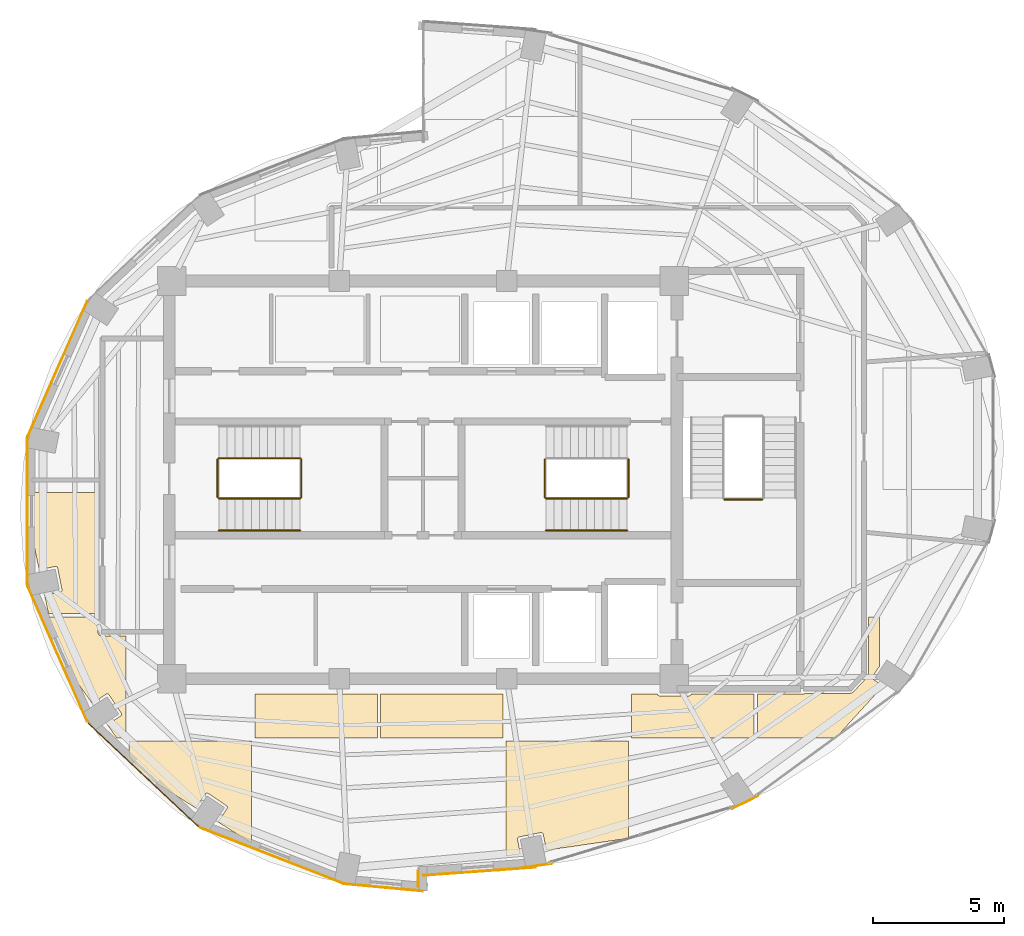
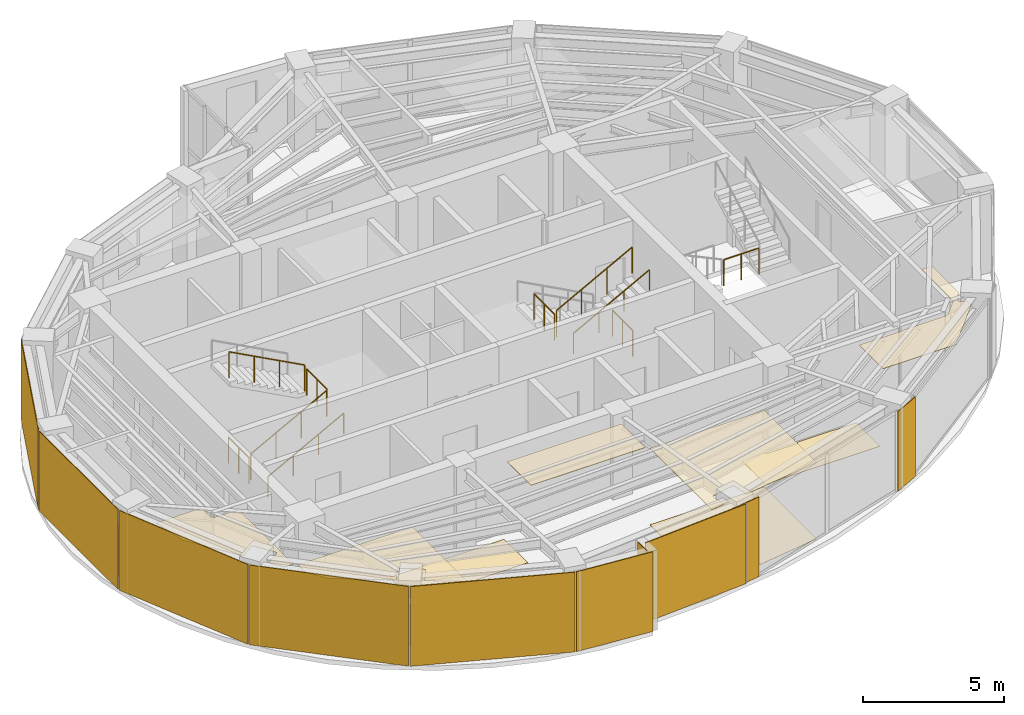
# One storey, part 14 of 15: 20 coverings, 10 railings.
"""IFC4 building model written with IfcOpenShell, lengths in metres."""

from ifc_helpers import new_model, si_unit, direction, frame, origin, origin_2d, place, context, subcontext, project, spatial, polyline, rectangle, circle, outline, extrude, material, layer, layer_set, type_object, element, save


model = new_model("IFC4")

# Units and contexts
model_context = context("Model", 3, precision=1e-05, world=origin(), true_north=direction((0.0, 1.0)))
body_context = subcontext(model_context, "Body", "Model", "MODEL_VIEW")
ifc_project = project(units=[si_unit("LENGTHUNIT", "METRE"), si_unit("AREAUNIT", "SQUARE_METRE"), si_unit("VOLUMEUNIT", "CUBIC_METRE"), si_unit("PLANEANGLEUNIT", "RADIAN"), si_unit("MASSUNIT", "GRAM", prefix="KILO")], contexts=[model_context])

# Site, building, storey
site_placement = place(None, origin())
site = spatial("IfcSite", under=ifc_project, at=site_placement, CompositionType="ELEMENT")
building_placement = place(site_placement, origin())
building = spatial("IfcBuilding", under=site, at=building_placement, Name="Lazwardi Medical Tower", CompositionType="ELEMENT")
storey_placement = place(building_placement, frame((0.0, 0.0, 280.56005859375)))
storey = spatial("IfcBuildingStorey", under=building, at=storey_placement, Name="L73", CompositionType="ELEMENT", Elevation=280.56005859375)

# Coverings
ifc_material_1 = material(Name="Anodised bronze aluminium cassette cladding", Category="aluminium")
ifc_layer_1 = layer(ifc_material_1, 0.030029296875)
ifc_layer_set_1 = layer_set([ifc_layer_1], Name="Anodised bronze aluminium cassette cladding")
covering_type_1 = type_object("IfcCoveringType", Name="COV-CLD-BRZ", PredefinedType="CLADDING", material=ifc_layer_set_1)
covering_1_placement = place(storey_placement, frame((40.3232421875, 13.25048828125, 0.0), z_axis=(0.0, 0.0, 1.0), x_axis=(0.989512431533, 0.144447733943, 0.0)))
element("IfcCovering", 1, at=covering_1_placement, inside=storey, type_object=covering_type_1, Name="L73 Mega-column bronze cassette cover M01", PredefinedType="CLADDING", context=body_context, shape_type="SweptSolid", body=[
    extrude(rectangle(XDim=1.188720703125, YDim=0.030029296875, at=origin_2d()), origin(), (0.0, 0.0, 1.0), 3.447998046875),
])
covering_2_placement = place(storey_placement, frame((48.311279296875, 15.6787109375, 0.0), z_axis=(0.0, 0.0, 1.0), x_axis=(0.897840141691, 0.440321564278, 0.0)))
element("IfcCovering", 2, at=covering_2_placement, inside=storey, type_object=covering_type_1, Name="L73 Mega-column bronze cassette cover M02", PredefinedType="CLADDING", context=body_context, shape_type="SweptSolid", body=[
    extrude(rectangle(XDim=1.110595703125, YDim=0.030029296875, at=origin_2d()), origin(), (0.0, 0.0, 1.0), 3.447998046875),
])
covering_3_placement = place(storey_placement, frame((22.032470703125, 32.25146484375, 0.0), z_axis=(0.0, 0.0, 1.0), x_axis=(-0.402877682365, -0.915253829848, 0.0)))
element("IfcCovering", 3, at=covering_3_placement, inside=storey, type_object=covering_type_1, Name="L73 West drum ceramic/bronze cladding", PredefinedType="CLADDING", context=body_context, shape_type="SweptSolid", body=[
    extrude(rectangle(XDim=5.65576171875, YDim=0.030029296875, at=origin_2d()), origin(), (0.0, 0.0, 1.0), 3.447998046875),
])
covering_4_placement = place(storey_placement, frame((20.880126953125, 26.800048828125, 0.0), z_axis=(0.0, 0.0, 1.0), x_axis=(0.0, -1.0, 0.0)))
element("IfcCovering", 4, at=covering_4_placement, inside=storey, type_object=covering_type_1, Name="L73 West drum ceramic/bronze cladding", PredefinedType="CLADDING", context=body_context, shape_type="SweptSolid", body=[
    extrude(rectangle(XDim=5.60302734375, YDim=0.030029296875, at=origin_2d()), origin(), (0.0, 0.0, 1.0), 3.447998046875),
])
covering_5_placement = place(storey_placement, frame((22.032470703125, 21.3486328125, 0.0), z_axis=(0.0, 0.0, 1.0), x_axis=(0.402877682365, -0.915253829848, 0.0)))
element("IfcCovering", 5, at=covering_5_placement, inside=storey, type_object=covering_type_1, Name="L73 West drum ceramic/bronze cladding", PredefinedType="CLADDING", context=body_context, shape_type="SweptSolid", body=[
    extrude(rectangle(XDim=5.65576171875, YDim=0.030029296875, at=origin_2d()), origin(), (0.0, 0.0, 1.0), 3.447998046875),
])
covering_6_placement = place(storey_placement, frame((25.31201171875, 16.7294921875, 0.0), z_axis=(0.0, 0.0, 1.0), x_axis=(0.728254960063, -0.685306291481, 0.0)))
element("IfcCovering", 6, at=covering_6_placement, inside=storey, type_object=covering_type_1, Name="L73 West drum ceramic/bronze cladding", PredefinedType="CLADDING", context=body_context, shape_type="SweptSolid", body=[
    extrude(rectangle(XDim=5.78125, YDim=0.030029296875, at=origin_2d()), origin(), (0.0, 0.0, 1.0), 3.447998046875),
])
ifc_material_2 = material(Name="Turquoise glazed ceramic tilework cladding", Category="masonry")
ifc_layer_2 = layer(ifc_material_2, 0.034912109375)
ifc_layer_set_2 = layer_set([ifc_layer_2], Name="Turquoise glazed ceramic tilework cladding")
covering_type_2 = type_object("IfcCoveringType", Name="COV-CLD-TRQ", PredefinedType="CLADDING", material=ifc_layer_set_2)
covering_7_placement = place(storey_placement, frame((30.216064453125, 13.64306640625, 0.0), z_axis=(0.0, 0.0, 1.0), x_axis=(0.931720388261, -0.363176428337, 0.0)))
element("IfcCovering", 7, at=covering_7_placement, inside=storey, type_object=covering_type_2, Name="L73 West drum ceramic/bronze cladding", PredefinedType="CLADDING", context=body_context, shape_type="SweptSolid", body=[
    extrude(rectangle(XDim=5.904052734375, YDim=0.034912109375, at=origin_2d()), origin(), (0.0, 0.0, 1.0), 3.447998046875),
])
covering_8_placement = place(storey_placement, frame((38.16259765625, 13.0400390625, 0.0), z_axis=(0.0, 0.0, 1.0), x_axis=(0.997409491337, 0.071932653157, 0.0)))
element("IfcCovering", 8, at=covering_8_placement, inside=storey, type_object=covering_type_2, Name="L73 Turquoise glazed ceramic tilework cladding", PredefinedType="CLADDING", context=body_context, shape_type="SweptSolid", body=[
    extrude(rectangle(XDim=4.31103515625, YDim=0.034912109375, at=origin_2d()), origin(), (0.0, 0.0, 1.0), 3.447998046875),
])
covering_9_placement = place(storey_placement, frame((34.4970703125, 12.423095703125, 0.0), z_axis=(0.0, 0.0, 1.0), x_axis=(0.995733560537, -0.092275004312, 0.0)))
element("IfcCovering", 9, at=covering_9_placement, inside=storey, type_object=covering_type_2, Name="L73 Turquoise glazed ceramic tilework cladding", PredefinedType="CLADDING", context=body_context, shape_type="SweptSolid", body=[
    extrude(rectangle(XDim=2.985595703125, YDim=0.034912109375, at=origin_2d()), origin(), (0.0, 0.0, 1.0), 3.447998046875),
])
covering_10_placement = place(storey_placement, frame((35.824462890625, 12.760009765625, 0.0), z_axis=(0.0, 0.0, 1.0), x_axis=(0.0, 1.0, 0.0)))
element("IfcCovering", 10, at=covering_10_placement, inside=storey, type_object=covering_type_2, Name="L73 Turquoise glazed ceramic tilework iwan panel", PredefinedType="CLADDING", context=body_context, shape_type="SweptSolid", body=[
    extrude(rectangle(XDim=0.60009765625, YDim=0.034912109375, at=origin_2d()), origin(), (0.0, 0.0, 1.0), 3.447998046875),
])
ifc_material_3 = material(Name="Acoustic mineral fibre tile")
ifc_layer_3 = layer(ifc_material_3, 0.02490234375)
ifc_layer_set_3 = layer_set([ifc_layer_3], Name="Acoustic mineral fibre tile")
covering_type_3 = type_object("IfcCoveringType", Name="COV-CLG-01", PredefinedType="CEILING", material=ifc_layer_set_3)
covering_11_placement = place(storey_placement, frame((0.0, 0.0, 3.302978515625)))
element("IfcCovering", 11, at=covering_11_placement, inside=storey, type_object=covering_type_3, Name="L73 Clinical Acoustic Ceiling 1", PredefinedType="CEILING", context=body_context, shape_type="SweptSolid", body=[
    extrude(outline(polyline([(24.65185546875, 22.02490234375), (23.75, 22.02490234375), (23.74560546875, 22.025146484375), (23.736328125, 22.025634765625), (23.7294921875, 22.0263671875), (23.72021484375, 22.027587890625), (23.7119140625, 22.029296875), (23.702880859375, 22.031494140625), (23.69580078125, 22.03369140625), (23.68701171875, 22.03662109375), (23.67919921875, 22.0400390625), (23.6708984375, 22.0439453125), (23.6640625, 22.047607421875), (23.656005859375, 22.052490234375), (23.6494140625, 22.056884765625), (23.641845703125, 22.0625), (23.63623046875, 22.067138671875), (23.62939453125, 22.0732421875), (23.623291015625, 22.079345703125), (23.6171875, 22.086181640625), (23.612548828125, 22.091796875), (23.60693359375, 22.099365234375), (23.602294921875, 22.10595703125), (23.59765625, 22.114013671875), (23.593994140625, 22.120849609375), (23.590087890625, 22.129150390625), (23.586669921875, 22.136962890625), (23.58349609375, 22.145751953125), (23.58154296875, 22.15283203125), (23.5791015625, 22.161865234375), (23.57763671875, 22.17041015625), (23.576416015625, 22.179443359375), (23.57568359375, 22.186279296875), (23.5751953125, 22.19580078125), (23.574951171875, 22.199951171875), (23.574951171875, 22.766357421875), (21.714599609375, 22.766357421875), (22.013427734375, 21.352783203125), (23.360595703125, 19.455810546875), (23.890380859375, 19.81005859375), (23.897216796875, 19.814208984375), (23.904296875, 19.8173828125), (23.91162109375, 19.820068359375), (23.919189453125, 19.822021484375), (23.927001953125, 19.822998046875), (23.934814453125, 19.823486328125), (23.942626953125, 19.822998046875), (23.950439453125, 19.822021484375), (23.9580078125, 19.820068359375), (23.96533203125, 19.8173828125), (23.972412109375, 19.814208984375), (23.979248046875, 19.81005859375), (23.985595703125, 19.805419921875), (23.991455078125, 19.800048828125), (23.99658203125, 19.794189453125), (24.001220703125, 19.787841796875), (24.468017578125, 19.089599609375), (24.47216796875, 19.082763671875), (24.475341796875, 19.07568359375), (24.47802734375, 19.068359375), (24.47998046875, 19.060791015625), (24.481201171875, 19.052978515625), (24.4814453125, 19.045166015625), (24.481201171875, 19.037353515625), (24.47998046875, 19.029541015625), (24.47802734375, 19.02197265625), (24.475341796875, 19.014404296875), (24.47216796875, 19.00732421875), (24.468017578125, 19.000732421875), (24.46337890625, 18.994384765625), (24.4580078125, 18.988525390625), (24.452392578125, 18.9833984375), (24.44580078125, 18.978515625), (23.939697265625, 18.640380859375), (24.297607421875, 18.136474609375), (24.65185546875, 18.136474609375), (24.65185546875, 22.02490234375)])), origin(), (0.0, 0.0, 1.0), 0.02490234375),
])
covering_12_placement = place(storey_placement, frame((0.0, 0.0, 3.302978515625)))
element("IfcCovering", 12, at=covering_12_placement, inside=storey, type_object=covering_type_3, Name="L73 Clinical Acoustic Ceiling 2", PredefinedType="CEILING", context=body_context, shape_type="SweptSolid", body=[
    extrude(outline(polyline([(24.771728515625, 17.468505859375), (25.293701171875, 16.7333984375), (27.32080078125, 15.458984375), (27.6787109375, 15.994384765625), (27.683349609375, 16.000732421875), (27.6884765625, 16.006591796875), (27.6943359375, 16.01171875), (27.70068359375, 16.016357421875), (27.70751953125, 16.0205078125), (27.714599609375, 16.023681640625), (27.721923828125, 16.026611328125), (27.7294921875, 16.0283203125), (27.7373046875, 16.029541015625), (27.7451171875, 16.02978515625), (27.7529296875, 16.029541015625), (27.7607421875, 16.0283203125), (27.768310546875, 16.026611328125), (27.775634765625, 16.023681640625), (27.78271484375, 16.0205078125), (27.78955078125, 16.016357421875), (28.48779296875, 15.5498046875), (28.494384765625, 15.544921875), (28.5, 15.539794921875), (28.50537109375, 15.533935546875), (28.510009765625, 15.527587890625), (28.51416015625, 15.52099609375), (28.517333984375, 15.513916015625), (28.52001953125, 15.50634765625), (28.52197265625, 15.498779296875), (28.523193359375, 15.490966796875), (28.5234375, 15.483154296875), (28.523193359375, 15.475341796875), (28.52197265625, 15.467529296875), (28.52001953125, 15.4599609375), (28.517333984375, 15.45263671875), (28.51416015625, 15.445556640625), (28.510009765625, 15.438720703125), (28.167724609375, 14.926513671875), (29.451904296875, 14.119384765625), (29.451904296875, 18.016357421875), (24.771728515625, 18.016357421875), (24.771728515625, 17.468505859375)])), origin(), (0.0, 0.0, 1.0), 0.02490234375),
])
covering_13_placement = place(storey_placement, frame((0.0, 0.0, 3.302978515625)))
element("IfcCovering", 13, at=covering_13_placement, inside=storey, type_object=covering_type_3, Name="L73 Clinical Acoustic Ceiling 4", PredefinedType="CEILING", context=body_context, shape_type="SweptSolid", body=[
    extrude(outline(polyline([(39.0517578125, 19.820068359375), (34.371826171875, 19.820068359375), (34.371826171875, 18.136474609375), (39.0517578125, 18.136474609375), (39.0517578125, 19.820068359375)])), origin(), (0.0, 0.0, 1.0), 0.02490234375),
])
covering_14_placement = place(storey_placement, frame((0.0, 0.0, 3.302978515625)))
element("IfcCovering", 14, at=covering_14_placement, inside=storey, type_object=covering_type_3, Name="L73 Clinical Acoustic Ceiling 6", PredefinedType="CEILING", context=body_context, shape_type="SweptSolid", body=[
    extrude(outline(polyline([(39.171875, 13.622802734375), (39.723876953125, 13.703125), (39.6123046875, 14.26318359375), (39.611328125, 14.27099609375), (39.61083984375, 14.27880859375), (39.611328125, 14.28662109375), (39.6123046875, 14.29443359375), (39.6142578125, 14.302001953125), (39.616943359375, 14.309326171875), (39.620361328125, 14.31640625), (39.62451171875, 14.3232421875), (39.629150390625, 14.32958984375), (39.63427734375, 14.33544921875), (39.64013671875, 14.340576171875), (39.646484375, 14.34521484375), (39.6533203125, 14.349365234375), (39.660400390625, 14.352783203125), (39.667724609375, 14.35546875), (39.67529296875, 14.357421875), (40.4990234375, 14.521240234375), (40.5068359375, 14.522216796875), (40.5146484375, 14.522705078125), (40.5224609375, 14.522216796875), (40.5302734375, 14.521240234375), (40.537841796875, 14.519287109375), (40.54541015625, 14.5166015625), (40.552490234375, 14.51318359375), (40.55908203125, 14.50927734375), (40.5654296875, 14.50439453125), (40.5712890625, 14.499267578125), (40.576416015625, 14.493408203125), (40.581298828125, 14.4873046875), (40.585205078125, 14.48046875), (40.588623046875, 14.473388671875), (40.59130859375, 14.4658203125), (40.59326171875, 14.458251953125), (40.714599609375, 13.847412109375), (43.851806640625, 14.30419921875), (43.851806640625, 18.016357421875), (39.171875, 18.016357421875), (39.171875, 13.622802734375)])), origin(), (0.0, 0.0, 1.0), 0.02490234375),
])
covering_15_placement = place(storey_placement, frame((0.0, 0.0, 3.302978515625)))
element("IfcCovering", 15, at=covering_15_placement, inside=storey, type_object=covering_type_3, Name="L73 Clinical Acoustic Ceiling 9", PredefinedType="CEILING", context=body_context, shape_type="SweptSolid", body=[
    extrude(outline(polyline([(53.451904296875, 20.215576171875), (53.2080078125, 20.37841796875), (53.20166015625, 20.38330078125), (53.19580078125, 20.388427734375), (53.190673828125, 20.394287109375), (53.185791015625, 20.400634765625), (53.181884765625, 20.4072265625), (53.178466796875, 20.414306640625), (53.17578125, 20.421875), (53.173828125, 20.429443359375), (53.1728515625, 20.437255859375), (53.17236328125, 20.445068359375), (53.1728515625, 20.452880859375), (53.173828125, 20.460693359375), (53.17578125, 20.46826171875), (53.178466796875, 20.4755859375), (53.181884765625, 20.482666015625), (53.185791015625, 20.489501953125), (53.451904296875, 20.88720703125), (53.451904296875, 22.766357421875), (53.02490234375, 22.766357421875), (53.02490234375, 20.58984375), (53.02490234375, 20.586181640625), (53.0244140625, 20.577392578125), (53.023681640625, 20.5693359375), (53.0224609375, 20.560546875), (53.021240234375, 20.55419921875), (53.019287109375, 20.545654296875), (53.016845703125, 20.537353515625), (53.013916015625, 20.529052734375), (53.01123046875, 20.522216796875), (53.007568359375, 20.513916015625), (53.004150390625, 20.507080078125), (52.999755859375, 20.49951171875), (52.995849609375, 20.493408203125), (52.99072265625, 20.486083984375), (52.986083984375, 20.47998046875), (52.980224609375, 20.47314453125), (52.977783203125, 20.470458984375), (52.44580078125, 19.900634765625), (52.44287109375, 19.897705078125), (52.435791015625, 19.89111328125), (52.429443359375, 19.88525390625), (52.421630859375, 19.87939453125), (52.415283203125, 19.874755859375), (52.406982421875, 19.86962890625), (52.399658203125, 19.865478515625), (52.39111328125, 19.861083984375), (52.383544921875, 19.85791015625), (52.37451171875, 19.8544921875), (52.3671875, 19.852294921875), (52.357666015625, 19.849609375), (52.349609375, 19.847900390625), (52.33984375, 19.846435546875), (52.33154296875, 19.845703125), (52.322021484375, 19.84521484375), (52.31787109375, 19.844970703125), (50.60791015625, 19.844970703125), (50.606689453125, 19.843505859375), (50.600830078125, 19.838134765625), (50.594482421875, 19.83349609375), (50.587646484375, 19.829345703125), (50.58056640625, 19.826171875), (50.5732421875, 19.823486328125), (50.565673828125, 19.821533203125), (50.557861328125, 19.8203125), (50.550048828125, 19.820068359375), (48.771728515625, 19.820068359375), (48.771728515625, 18.136474609375), (51.767822265625, 18.136474609375), (53.451904296875, 19.981201171875), (53.451904296875, 20.215576171875)])), origin(), (0.0, 0.0, 1.0), 0.02490234375),
])
ifc_material_4 = material(Name="Anti-static hospital vinyl sheet flooring")
ifc_layer_4 = layer(ifc_material_4, 0.014892578125)
ifc_layer_set_4 = layer_set([ifc_layer_4], Name="Anti-static hospital vinyl sheet flooring")
covering_type_4 = type_object("IfcCoveringType", Name="COV-FLR-01", PredefinedType="FLOORING", material=ifc_layer_set_4)
covering_16_placement = place(storey_placement, origin())
element("IfcCovering", 16, at=covering_16_placement, inside=storey, type_object=covering_type_4, Name="L73 Clinical Vinyl Flooring 1", PredefinedType="FLOORING", context=body_context, shape_type="SweptSolid", body=[
    extrude(outline(polyline([(21.01318359375, 27.516357421875), (20.86181640625, 26.800048828125), (21.33349609375, 24.568115234375), (21.94580078125, 24.689697265625), (21.95361328125, 24.69091796875), (21.96142578125, 24.69140625), (21.96923828125, 24.69091796875), (21.97705078125, 24.689697265625), (21.984619140625, 24.68798828125), (21.9921875, 24.685302734375), (21.999267578125, 24.681884765625), (22.005859375, 24.677734375), (22.01220703125, 24.673095703125), (22.01806640625, 24.66796875), (22.023193359375, 24.662109375), (22.028076171875, 24.65576171875), (22.031982421875, 24.64892578125), (22.035400390625, 24.641845703125), (22.0380859375, 24.634521484375), (22.0400390625, 24.626953125), (22.203857421875, 23.802978515625), (22.205078125, 23.79541015625), (22.205322265625, 23.78759765625), (22.205078125, 23.77978515625), (22.203857421875, 23.77197265625), (22.201904296875, 23.764404296875), (22.19921875, 23.7568359375), (22.196044921875, 23.749755859375), (22.19189453125, 23.7431640625), (22.187255859375, 23.73681640625), (22.181884765625, 23.73095703125), (22.17626953125, 23.7255859375), (22.169921875, 23.720947265625), (22.1630859375, 23.716796875), (22.156005859375, 23.713623046875), (22.148681640625, 23.7109375), (22.14111328125, 23.708984375), (21.54052734375, 23.589599609375), (21.689208984375, 22.886474609375), (23.574951171875, 22.886474609375), (23.574951171875, 27.516357421875), (21.01318359375, 27.516357421875)])), origin(), (0.0, 0.0, 1.0), 0.014892578125),
])
covering_17_placement = place(storey_placement, origin())
element("IfcCovering", 17, at=covering_17_placement, inside=storey, type_object=covering_type_4, Name="L73 Clinical Vinyl Flooring 2", PredefinedType="FLOORING", context=body_context, shape_type="SweptSolid", body=[
    extrude(outline(polyline([(24.771728515625, 17.468505859375), (25.293701171875, 16.7333984375), (27.32080078125, 15.458984375), (27.6787109375, 15.994384765625), (27.683349609375, 16.000732421875), (27.6884765625, 16.006591796875), (27.6943359375, 16.01171875), (27.70068359375, 16.016357421875), (27.70751953125, 16.0205078125), (27.714599609375, 16.023681640625), (27.721923828125, 16.026611328125), (27.7294921875, 16.0283203125), (27.7373046875, 16.029541015625), (27.7451171875, 16.02978515625), (27.7529296875, 16.029541015625), (27.7607421875, 16.0283203125), (27.768310546875, 16.026611328125), (27.775634765625, 16.023681640625), (27.78271484375, 16.0205078125), (27.78955078125, 16.016357421875), (28.48779296875, 15.5498046875), (28.494384765625, 15.544921875), (28.5, 15.539794921875), (28.50537109375, 15.533935546875), (28.510009765625, 15.527587890625), (28.51416015625, 15.52099609375), (28.517333984375, 15.513916015625), (28.52001953125, 15.50634765625), (28.52197265625, 15.498779296875), (28.523193359375, 15.490966796875), (28.5234375, 15.483154296875), (28.523193359375, 15.475341796875), (28.52197265625, 15.467529296875), (28.52001953125, 15.4599609375), (28.517333984375, 15.45263671875), (28.51416015625, 15.445556640625), (28.510009765625, 15.438720703125), (28.167724609375, 14.926513671875), (29.451904296875, 14.119384765625), (29.451904296875, 18.016357421875), (24.771728515625, 18.016357421875), (24.771728515625, 17.468505859375)])), origin(), (0.0, 0.0, 1.0), 0.014892578125),
])
covering_18_placement = place(storey_placement, origin())
element("IfcCovering", 18, at=covering_18_placement, inside=storey, type_object=covering_type_4, Name="L73 Clinical Vinyl Flooring 3", PredefinedType="FLOORING", context=body_context, shape_type="SweptSolid", body=[
    extrude(outline(polyline([(34.251708984375, 19.820068359375), (29.57177734375, 19.820068359375), (29.57177734375, 18.136474609375), (34.251708984375, 18.136474609375), (34.251708984375, 19.820068359375)])), origin(), (0.0, 0.0, 1.0), 0.014892578125),
])
covering_19_placement = place(storey_placement, origin())
element("IfcCovering", 19, at=covering_19_placement, inside=storey, type_object=covering_type_4, Name="L73 Clinical Vinyl Flooring 6", PredefinedType="FLOORING", context=body_context, shape_type="SweptSolid", body=[
    extrude(outline(polyline([(39.171875, 13.622802734375), (39.723876953125, 13.703125), (39.6123046875, 14.26318359375), (39.611328125, 14.27099609375), (39.61083984375, 14.27880859375), (39.611328125, 14.28662109375), (39.6123046875, 14.29443359375), (39.6142578125, 14.302001953125), (39.616943359375, 14.309326171875), (39.620361328125, 14.31640625), (39.62451171875, 14.3232421875), (39.629150390625, 14.32958984375), (39.63427734375, 14.33544921875), (39.64013671875, 14.340576171875), (39.646484375, 14.34521484375), (39.6533203125, 14.349365234375), (39.660400390625, 14.352783203125), (39.667724609375, 14.35546875), (39.67529296875, 14.357421875), (40.4990234375, 14.521240234375), (40.5068359375, 14.522216796875), (40.5146484375, 14.522705078125), (40.5224609375, 14.522216796875), (40.5302734375, 14.521240234375), (40.537841796875, 14.519287109375), (40.54541015625, 14.5166015625), (40.552490234375, 14.51318359375), (40.55908203125, 14.50927734375), (40.5654296875, 14.50439453125), (40.5712890625, 14.499267578125), (40.576416015625, 14.493408203125), (40.581298828125, 14.4873046875), (40.585205078125, 14.48046875), (40.588623046875, 14.473388671875), (40.59130859375, 14.4658203125), (40.59326171875, 14.458251953125), (40.714599609375, 13.847412109375), (43.851806640625, 14.30419921875), (43.851806640625, 18.016357421875), (39.171875, 18.016357421875), (39.171875, 13.622802734375)])), origin(), (0.0, 0.0, 1.0), 0.014892578125),
])
covering_20_placement = place(storey_placement, origin())
element("IfcCovering", 20, at=covering_20_placement, inside=storey, type_object=covering_type_4, Name="L73 Clinical Vinyl Flooring 8", PredefinedType="FLOORING", context=body_context, shape_type="SweptSolid", body=[
    extrude(outline(polyline([(48.65185546875, 19.820068359375), (46.249267578125, 19.820068359375), (46.24853515625, 19.814453125), (46.24658203125, 19.806884765625), (46.243896484375, 19.79931640625), (46.240478515625, 19.792236328125), (46.236572265625, 19.78564453125), (46.231689453125, 19.779296875), (46.2265625, 19.7734375), (46.220703125, 19.768310546875), (46.21435546875, 19.763427734375), (46.207763671875, 19.759521484375), (46.20068359375, 19.756103515625), (46.193115234375, 19.75341796875), (46.185546875, 19.75146484375), (46.177734375, 19.75048828125), (46.169921875, 19.75), (45.030029296875, 19.75), (45.022216796875, 19.75048828125), (45.014404296875, 19.75146484375), (45.0068359375, 19.75341796875), (44.99951171875, 19.756103515625), (44.9921875, 19.759521484375), (44.985595703125, 19.763427734375), (44.979248046875, 19.768310546875), (44.973388671875, 19.7734375), (44.96826171875, 19.779296875), (44.96337890625, 19.78564453125), (44.95947265625, 19.792236328125), (44.9560546875, 19.79931640625), (44.953369140625, 19.806884765625), (44.951416015625, 19.814453125), (44.95068359375, 19.820068359375), (43.9716796875, 19.820068359375), (43.9716796875, 18.136474609375), (48.65185546875, 18.136474609375), (48.65185546875, 19.820068359375)])), origin(), (0.0, 0.0, 1.0), 0.014892578125),
])

# Railings
ifc_material_5 = material(Name="Stainless steel Grade 316", Category="steel")
railing_type_1 = type_object("IfcRailingType", Name="RLG-GRD-1150", PredefinedType="GUARDRAIL", material=ifc_material_5)
railing_1_placement = place(storey_placement, frame((28.199951171875, 27.2900390625, 0.165771484375)))
element("IfcRailing", 21, at=railing_1_placement, inside=storey, type_object=railing_type_1, Name="L73 ST1 stair guard 1", PredefinedType="GUARDRAIL", context=body_context, shape_type="SweptSolid", body=[
    extrude(circle(Radius=0.02392578125, at=origin_2d()), frame((0.0, 0.0, 1.1259765625), z_axis=(0.881783298633, 0.0, 0.471654761719), x_axis=(0.0, 1.0, 0.0)), (0.0, 0.0, 1.0), 3.515625),
    extrude(circle(Radius=0.02099609375, at=origin_2d()), origin(), (0.0, 0.0, 1.0), 1.099853515625),
    extrude(circle(Radius=0.02099609375, at=origin_2d()), frame((1.033447265625, 0.0, 0.552734375)), (0.0, 0.0, 1.0), 1.099853515625),
    extrude(circle(Radius=0.02099609375, at=origin_2d()), frame((2.066650390625, 0.0, 1.10546875)), (0.0, 0.0, 1.0), 1.099853515625),
    extrude(circle(Radius=0.02099609375, at=origin_2d()), frame((3.10009765625, 0.0, 1.658203125)), (0.0, 0.0, 1.0), 1.099853515625),
])
railing_2_placement = place(storey_placement, frame((31.35009765625, 27.340087890625, 1.823974609375)))
element("IfcRailing", 22, at=railing_2_placement, inside=storey, type_object=railing_type_1, Name="L73 ST1 stair guard 2", PredefinedType="GUARDRAIL", context=body_context, shape_type="SweptSolid", body=[
    extrude(circle(Radius=0.02392578125, at=origin_2d()), frame((0.0, 0.0, 1.1259765625), z_axis=(0.0, 1.0, 0.0), x_axis=(-1.0, 0.0, 0.0)), (0.0, 0.0, 1.0), 1.43994140625),
    extrude(circle(Radius=0.02099609375, at=origin_2d()), origin(), (0.0, 0.0, 1.0), 1.099853515625),
    extrude(circle(Radius=0.02099609375, at=origin_2d()), frame((0.0, 0.719970703125, 0.0)), (0.0, 0.0, 1.0), 1.099853515625),
    extrude(circle(Radius=0.02099609375, at=origin_2d()), frame((0.0, 1.43994140625, 0.0)), (0.0, 0.0, 1.0), 1.099853515625),
])
railing_3_placement = place(storey_placement, frame((31.300048828125, 28.830078125, 1.98974609375)))
element("IfcRailing", 23, at=railing_3_placement, inside=storey, type_object=railing_type_1, Name="L73 ST1 stair guard 3", PredefinedType="GUARDRAIL", context=body_context, shape_type="SweptSolid", body=[
    extrude(circle(Radius=0.02392578125, at=origin_2d()), frame((0.0, 0.0, 1.1259765625), z_axis=(-0.881783298633, 0.0, 0.471654761719), x_axis=(0.0, -1.0, 0.0)), (0.0, 0.0, 1.0), 3.515625),
    extrude(circle(Radius=0.02099609375, at=origin_2d()), origin(), (0.0, 0.0, 1.0), 1.099853515625),
    extrude(circle(Radius=0.02099609375, at=origin_2d()), frame((-1.033447265625, 0.0, 0.552734375)), (0.0, 0.0, 1.0), 1.099853515625),
    extrude(circle(Radius=0.02099609375, at=origin_2d()), frame((-2.066650390625, 0.0, 1.10546875)), (0.0, 0.0, 1.0), 1.099853515625),
    extrude(circle(Radius=0.02099609375, at=origin_2d()), frame((-3.10009765625, 0.0, 1.658203125)), (0.0, 0.0, 1.0), 1.099853515625),
])
railing_4_placement = place(storey_placement, frame((28.14990234375, 27.340087890625, 0.0)))
element("IfcRailing", 24, at=railing_4_placement, inside=storey, type_object=railing_type_1, Name="L73 ST1 stair guard 4", PredefinedType="GUARDRAIL", context=body_context, shape_type="SweptSolid", body=[
    extrude(circle(Radius=0.02392578125, at=origin_2d()), frame((0.0, 0.0, 1.1259765625), z_axis=(0.0, 1.0, 0.0), x_axis=(-1.0, 0.0, 0.0)), (0.0, 0.0, 1.0), 1.43994140625),
    extrude(circle(Radius=0.02099609375, at=origin_2d()), origin(), (0.0, 0.0, 1.0), 1.099853515625),
    extrude(circle(Radius=0.02099609375, at=origin_2d()), frame((0.0, 0.719970703125, 0.0)), (0.0, 0.0, 1.0), 1.099853515625),
    extrude(circle(Radius=0.02099609375, at=origin_2d()), frame((0.0, 1.43994140625, 0.0)), (0.0, 0.0, 1.0), 1.099853515625),
])
railing_5_placement = place(storey_placement, frame((40.64990234375, 28.780029296875, 1.823974609375)))
element("IfcRailing", 25, at=railing_5_placement, inside=storey, type_object=railing_type_1, Name="L73 ST2 stair guard 2", PredefinedType="GUARDRAIL", context=body_context, shape_type="SweptSolid", body=[
    extrude(circle(Radius=0.02392578125, at=origin_2d()), frame((0.0, 0.0, 1.1259765625), z_axis=(0.0, -1.0, 0.0), x_axis=(1.0, 0.0, 0.0)), (0.0, 0.0, 1.0), 1.43994140625),
    extrude(circle(Radius=0.02099609375, at=origin_2d()), origin(), (0.0, 0.0, 1.0), 1.099853515625),
    extrude(circle(Radius=0.02099609375, at=origin_2d()), frame((0.0, -0.719970703125, 0.0)), (0.0, 0.0, 1.0), 1.099853515625),
    extrude(circle(Radius=0.02099609375, at=origin_2d()), frame((0.0, -1.43994140625, 0.0)), (0.0, 0.0, 1.0), 1.099853515625),
])
railing_6_placement = place(storey_placement, frame((40.699951171875, 27.2900390625, 1.98974609375)))
element("IfcRailing", 26, at=railing_6_placement, inside=storey, type_object=railing_type_1, Name="L73 ST2 stair guard 3", PredefinedType="GUARDRAIL", context=body_context, shape_type="SweptSolid", body=[
    extrude(circle(Radius=0.02392578125, at=origin_2d()), frame((0.0, 0.0, 1.1259765625), z_axis=(0.881783298633, 0.0, 0.471654761719), x_axis=(0.0, 1.0, 0.0)), (0.0, 0.0, 1.0), 3.515625),
    extrude(circle(Radius=0.02099609375, at=origin_2d()), origin(), (0.0, 0.0, 1.0), 1.099853515625),
    extrude(circle(Radius=0.02099609375, at=origin_2d()), frame((1.033447265625, 0.0, 0.552734375)), (0.0, 0.0, 1.0), 1.099853515625),
    extrude(circle(Radius=0.02099609375, at=origin_2d()), frame((2.066650390625, 0.0, 1.10546875)), (0.0, 0.0, 1.0), 1.099853515625),
    extrude(circle(Radius=0.02099609375, at=origin_2d()), frame((3.10009765625, 0.0, 1.658203125)), (0.0, 0.0, 1.0), 1.099853515625),
])
railing_7_placement = place(storey_placement, frame((43.85009765625, 28.780029296875, 0.0)))
element("IfcRailing", 27, at=railing_7_placement, inside=storey, type_object=railing_type_1, Name="L73 ST2 stair guard 4", PredefinedType="GUARDRAIL", context=body_context, shape_type="SweptSolid", body=[
    extrude(circle(Radius=0.02392578125, at=origin_2d()), frame((0.0, 0.0, 1.1259765625), z_axis=(0.0, -1.0, 0.0), x_axis=(1.0, 0.0, 0.0)), (0.0, 0.0, 1.0), 1.43994140625),
    extrude(circle(Radius=0.02099609375, at=origin_2d()), origin(), (0.0, 0.0, 1.0), 1.099853515625),
    extrude(circle(Radius=0.02099609375, at=origin_2d()), frame((0.0, -0.719970703125, 0.0)), (0.0, 0.0, 1.0), 1.099853515625),
    extrude(circle(Radius=0.02099609375, at=origin_2d()), frame((0.0, -1.43994140625, 0.0)), (0.0, 0.0, 1.0), 1.099853515625),
])
railing_8_placement = place(storey_placement, frame((47.52001953125, 27.25, 1.823974609375)))
element("IfcRailing", 28, at=railing_8_placement, inside=storey, type_object=railing_type_1, Name="L73 ST3 stair guard 2", PredefinedType="GUARDRAIL", context=body_context, shape_type="SweptSolid", body=[
    extrude(circle(Radius=0.02392578125, at=origin_2d()), frame((0.0, 0.0, 1.1259765625), z_axis=(1.0, 0.0, 0.0), x_axis=(0.0, 1.0, 0.0)), (0.0, 0.0, 1.0), 1.43994140625),
    extrude(circle(Radius=0.02099609375, at=origin_2d()), origin(), (0.0, 0.0, 1.0), 1.099853515625),
    extrude(circle(Radius=0.02099609375, at=origin_2d()), frame((0.719970703125, 0.0, 0.0)), (0.0, 0.0, 1.0), 1.099853515625),
    extrude(circle(Radius=0.02099609375, at=origin_2d()), frame((1.43994140625, 0.0, 0.0)), (0.0, 0.0, 1.0), 1.099853515625),
])
railing_type_2 = type_object("IfcRailingType", Name="RLG-HND-920", PredefinedType="HANDRAIL", material=ifc_material_5)
for number, where, name in (
    (29, (28.199951171875, 26.070068359375, 0.165771484375), "L73 ST1 stair handrail 1"),
    (30, (40.699951171875, 26.070068359375, 1.98974609375), "L73 ST2 stair handrail 2"),
):
    element("IfcRailing", number, at=place(storey_placement, frame(where)), inside=storey, type_object=railing_type_2, Name=name, PredefinedType="HANDRAIL", context=body_context, shape_type="SweptSolid", body=[
        extrude(circle(Radius=0.02392578125, at=origin_2d()), frame((0.0, 0.0, 0.8857421875), z_axis=(0.881783298633, 0.0, 0.471654761719), x_axis=(0.0, 1.0, 0.0)), (0.0, 0.0, 1.0), 3.515625),
        extrude(circle(Radius=0.02099609375, at=origin_2d()), origin(), (0.0, 0.0, 1.0), 0.85986328125),
        extrude(circle(Radius=0.02099609375, at=origin_2d()), frame((1.033447265625, 0.0, 0.552734375)), (0.0, 0.0, 1.0), 0.85986328125),
        extrude(circle(Radius=0.02099609375, at=origin_2d()), frame((2.066650390625, 0.0, 1.10546875)), (0.0, 0.0, 1.0), 0.85986328125),
        extrude(circle(Radius=0.02099609375, at=origin_2d()), frame((3.10009765625, 0.0, 1.658203125)), (0.0, 0.0, 1.0), 0.85986328125),
    ])

save(model, "model.ifc")
